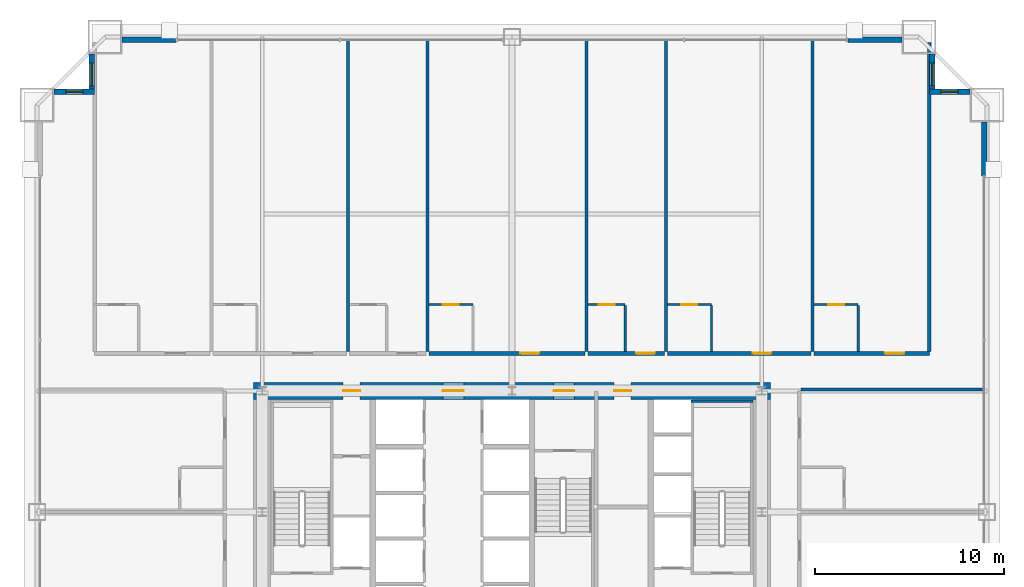
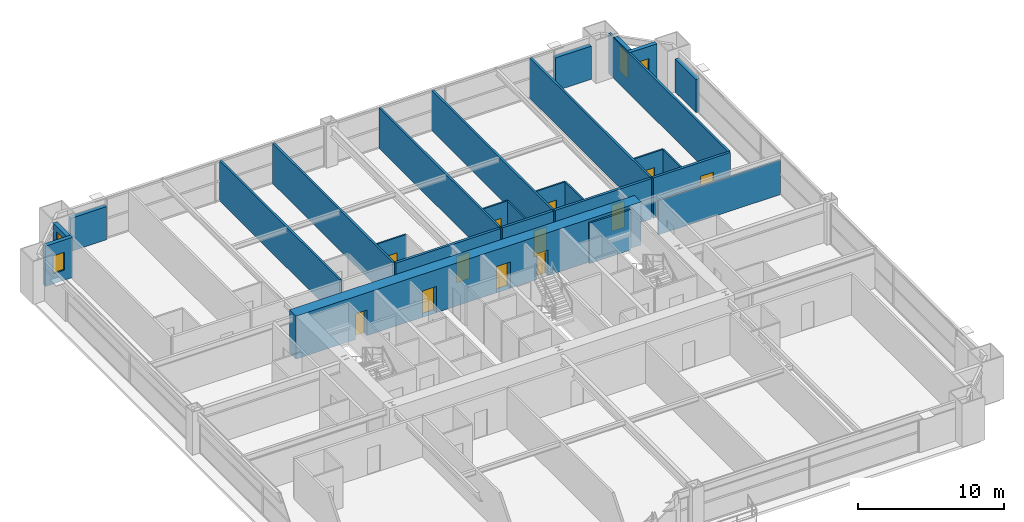
# One storey, part 43 of 45: 27 walls, 12 doors, 4 windows, 16 openings.
"""IFC4 building model written with IfcOpenShell, lengths in metres."""

from ifc_helpers import new_model, si_unit, direction, frame, frame_2d, origin, place, context, subcontext, project, spatial, rectangle, extrude, source, transform, mapped, material, layer, layer_set, type_object, element, fill, save


model = new_model("IFC4")

# Units and contexts
model_context = context("Model", 3, precision=1e-05, world=origin(), true_north=direction((0.0, 1.0)))
body_context = subcontext(model_context, "Body", "Model", "MODEL_VIEW")
ifc_project = project(units=[si_unit("LENGTHUNIT", "METRE"), si_unit("AREAUNIT", "SQUARE_METRE"), si_unit("VOLUMEUNIT", "CUBIC_METRE"), si_unit("PLANEANGLEUNIT", "RADIAN"), si_unit("MASSUNIT", "GRAM", prefix="KILO"), si_unit("THERMODYNAMICTEMPERATUREUNIT", "KELVIN"), si_unit("POWERUNIT", "WATT")], contexts=[model_context])

# Site, building, storey
site_placement = place(None, origin())
site = spatial("IfcSite", under=ifc_project, at=site_placement, CompositionType="ELEMENT")
building_placement = place(site_placement, origin())
building = spatial("IfcBuilding", under=site, at=building_placement, Name="Yuzanri Waterfront Tower", CompositionType="ELEMENT")
storey_placement = place(building_placement, frame((0.0, 0.0, 49.60009765625)))
storey = spatial("IfcBuildingStorey", under=building, at=storey_placement, Name="L12", CompositionType="ELEMENT", Elevation=49.60009765625)

# Wall, opening, door
ifc_material_1 = material(Name="Moisture-Resistant Gypsum Stud Wall", Category="gypsum")
ifc_layer_1 = layer(ifc_material_1, 0.1201171875)
ifc_layer_set_1 = layer_set([ifc_layer_1], Name="Moisture-Resistant Gypsum Stud Wall")
wall_type_1 = type_object("IfcWallType", Name="Bathroom and Kitchen Wet Partition 120", PredefinedType="PARTITIONING", material=ifc_layer_set_1)
wall_1_placement = place(storey_placement, frame((32.60498046875, 36.760009765625, 0.0), z_axis=(0.0, 0.0, 1.0), x_axis=(1.0, 0.0, 0.0)))
wall_1 = element("IfcWall", 1, at=wall_1_placement, inside=storey, type_object=wall_type_1, Name="L12 Partition UW-L12-N4-BN", PredefinedType="PARTITIONING", context=body_context, shape_type="SweptSolid", body=[
    extrude(rectangle(XDim=2.330078125, YDim=0.1201171875, at=frame_2d((1.1650390625, 0.0))), origin(), (0.0, 0.0, 1.0), 3.3798828125),
])
opening_1_placement = place(wall_1_placement, frame((0.739990234375, 0.0, 0.0)))
opening_1 = element("IfcOpeningElement", 2, at=opening_1_placement, cuts=wall_1, Name="Opening ID-0850", PredefinedType="OPENING", context=body_context, shape_type="SweptSolid", body=[
    extrude(rectangle(XDim=0.85009765625, YDim=2.10009765625, at=frame_2d((0.425048828125, 1.050048828125))), frame((0.0, 0.074951171875, 0.0), z_axis=(0.0, -1.0, 0.0), x_axis=(1.0, 0.0, 0.0)), (0.0, 0.0, 1.0), 0.14990234375),
])
ifc_material_2 = material(Name="Moisture-Resistant Lacquered Timber", Category="wood")
door_type_1 = type_object("IfcDoorType", Name="En-Suite Bathroom and Kitchen Swing Door 850x2100", OperationType="NOTDEFINED", PredefinedType="DOOR", material=ifc_material_2)
shared_shape_1 = source(origin(), body_context, "Body", "SweptSolid", [
    extrude(rectangle(XDim=0.85009765625, YDim=2.10009765625, at=frame_2d((0.425048828125, 1.050048828125))), frame((0.0, 0.02490234375, 0.0), z_axis=(0.0, -1.0, 0.0), x_axis=(1.0, 0.0, 0.0)), (0.0, 0.0, 1.0), 0.050048828125),
])
door_1_placement = place(opening_1_placement, origin())
door_1 = element("IfcDoor", 3, at=door_1_placement, inside=storey, type_object=door_type_1, Name="L12 Guest En-Suite Door", OperationType="SINGLE_SWING_RIGHT", OverallHeight=2.10009765625, OverallWidth=0.85009765625, PredefinedType="DOOR", context=body_context, shape_type="MappedRepresentation", body=[
    mapped(shared_shape_1, transform((0.0, 0.0, 0.0), scale=1.0)),
])
fill(opening_1, door_1)

wall_2_placement = place(storey_placement, frame((41.02587890625, 36.760009765625, 0.0), z_axis=(0.0, 0.0, 1.0), x_axis=(1.0, 0.0, 0.0)))
wall_2 = element("IfcWall", 4, at=wall_2_placement, inside=storey, type_object=wall_type_1, Name="L12 Partition UW-L12-N5-BN", PredefinedType="PARTITIONING", context=body_context, shape_type="SweptSolid", body=[
    extrude(rectangle(XDim=1.955078125, YDim=0.1201171875, at=frame_2d((0.9775390625, 0.0))), origin(), (0.0, 0.0, 1.0), 3.3798828125),
])
opening_2_placement = place(wall_2_placement, frame((0.552490234375, 0.0, 0.0)))
opening_2 = element("IfcOpeningElement", 5, at=opening_2_placement, cuts=wall_2, Name="Opening ID-0850", PredefinedType="OPENING", context=body_context, shape_type="SweptSolid", body=[
    extrude(rectangle(XDim=0.85009765625, YDim=2.10009765625, at=frame_2d((0.425048828125, 1.050048828125))), frame((0.0, 0.074951171875, 0.0), z_axis=(0.0, -1.0, 0.0), x_axis=(1.0, 0.0, 0.0)), (0.0, 0.0, 1.0), 0.14990234375),
])
door_2_placement = place(opening_2_placement, origin())
door_2 = element("IfcDoor", 6, at=door_2_placement, inside=storey, type_object=door_type_1, Name="L12 Guest En-Suite Door", OperationType="SINGLE_SWING_RIGHT", OverallHeight=2.10009765625, OverallWidth=0.85009765625, PredefinedType="DOOR", context=body_context, shape_type="MappedRepresentation", body=[
    mapped(shared_shape_1, transform((0.0, 0.0, 0.0), scale=1.0)),
])
fill(opening_2, door_2)

wall_3_placement = place(storey_placement, frame((45.2109375, 36.760009765625, 0.0), z_axis=(0.0, 0.0, 1.0), x_axis=(1.0, 0.0, 0.0)))
wall_3 = element("IfcWall", 7, at=wall_3_placement, inside=storey, type_object=wall_type_1, Name="L12 Partition UW-L12-N6-BN", PredefinedType="PARTITIONING", context=body_context, shape_type="SweptSolid", body=[
    extrude(rectangle(XDim=2.330078125, YDim=0.1201171875, at=frame_2d((1.1650390625, 0.0))), origin(), (0.0, 0.0, 1.0), 3.3798828125),
])
opening_3_placement = place(wall_3_placement, frame((0.739990234375, 0.0, 0.0)))
opening_3 = element("IfcOpeningElement", 8, at=opening_3_placement, cuts=wall_3, Name="Opening ID-0850", PredefinedType="OPENING", context=body_context, shape_type="SweptSolid", body=[
    extrude(rectangle(XDim=0.85009765625, YDim=2.10009765625, at=frame_2d((0.425048828125, 1.050048828125))), frame((0.0, 0.074951171875, 0.0), z_axis=(0.0, -1.0, 0.0), x_axis=(1.0, 0.0, 0.0)), (0.0, 0.0, 1.0), 0.14990234375),
])
door_3_placement = place(opening_3_placement, origin())
door_3 = element("IfcDoor", 9, at=door_3_placement, inside=storey, type_object=door_type_1, Name="L12 Guest En-Suite Door", OperationType="SINGLE_SWING_RIGHT", OverallHeight=2.10009765625, OverallWidth=0.85009765625, PredefinedType="DOOR", context=body_context, shape_type="MappedRepresentation", body=[
    mapped(shared_shape_1, transform((0.0, 0.0, 0.0), scale=1.0)),
])
fill(opening_3, door_3)

wall_4_placement = place(storey_placement, frame((52.962890625, 36.760009765625, 0.0), z_axis=(0.0, 0.0, 1.0), x_axis=(1.0, 0.0, 0.0)))
wall_4 = element("IfcWall", 10, at=wall_4_placement, inside=storey, type_object=wall_type_1, Name="L12 Partition UW-L12-N7-BN", PredefinedType="PARTITIONING", context=body_context, shape_type="SweptSolid", body=[
    extrude(rectangle(XDim=2.330078125, YDim=0.1201171875, at=frame_2d((1.1650390625, 0.0))), origin(), (0.0, 0.0, 1.0), 3.3798828125),
])
opening_4_placement = place(wall_4_placement, frame((0.739990234375, 0.0, 0.0)))
opening_4 = element("IfcOpeningElement", 11, at=opening_4_placement, cuts=wall_4, Name="Opening ID-0850", PredefinedType="OPENING", context=body_context, shape_type="SweptSolid", body=[
    extrude(rectangle(XDim=0.85009765625, YDim=2.10009765625, at=frame_2d((0.425048828125, 1.050048828125))), frame((0.0, 0.074951171875, 0.0), z_axis=(0.0, -1.0, 0.0), x_axis=(1.0, 0.0, 0.0)), (0.0, 0.0, 1.0), 0.14990234375),
])
door_4_placement = place(opening_4_placement, origin())
door_4 = element("IfcDoor", 12, at=door_4_placement, inside=storey, type_object=door_type_1, Name="L12 Guest En-Suite Door", OperationType="SINGLE_SWING_RIGHT", OverallHeight=2.10009765625, OverallWidth=0.85009765625, PredefinedType="DOOR", context=body_context, shape_type="MappedRepresentation", body=[
    mapped(shared_shape_1, transform((0.0, 0.0, 0.0), scale=1.0)),
])
fill(opening_4, door_4)

# Wall, opening, window
ifc_material_3 = material(Name="Honed Chongqing Dark Basalt Stone", Category="masonry")
ifc_layer_2 = layer(ifc_material_3, 0.300048828125)
ifc_layer_set_2 = layer_set([ifc_layer_2], Name="Honed Chongqing Dark Basalt Stone")
wall_type_2 = type_object("IfcWallType", Name="Bronze Rainscreen Insulated Spandrel Portal Wall 300", PredefinedType="SOLIDWALL", material=ifc_layer_set_2)
wall_5_placement = place(storey_placement, frame((14.949951171875, 48.0, 0.0), z_axis=(0.0, 0.0, 1.0), x_axis=(-1.0, 0.0, 0.0)))
wall_5 = element("IfcWall", 13, at=wall_5_placement, inside=storey, type_object=wall_type_2, Name="L12 Notched Corner Masonry Wall NW-X", PredefinedType="SOLIDWALL", context=body_context, shape_type="SweptSolid", body=[
    extrude(rectangle(XDim=2.14990234375, YDim=0.300048828125, at=frame_2d((1.074951171875, 0.0))), origin(), (0.0, 0.0, 1.0), 3.3798828125),
])
opening_5_placement = place(wall_5_placement, frame((0.625, 0.0, 0.85009765625)))
opening_5 = element("IfcOpeningElement", 14, at=opening_5_placement, cuts=wall_5, Name="Opening WN-05", PredefinedType="OPENING", context=body_context, shape_type="SweptSolid", body=[
    extrude(rectangle(XDim=0.89990234375, YDim=1.5, at=frame_2d((0.449951171875, 0.75))), frame((0.0, 0.1650390625, 0.0), z_axis=(0.0, -1.0, 0.0), x_axis=(1.0, 0.0, 0.0)), (0.0, 0.0, 1.0), 0.329833984375),
])
ifc_material_4 = material(Name="Double-Silver Low-E Insulated Glass", Category="glass")
window_type_1 = type_object("IfcWindowType", Name="Anodized Bronze Service and Stairwell Smoke-Vent Window 900x1500", PartitioningType="SINGLE_PANEL", PredefinedType="WINDOW", material=ifc_material_4)
shared_shape_2 = source(origin(), body_context, "Body", "SweptSolid", [
    extrude(rectangle(XDim=0.89990234375, YDim=1.5, at=frame_2d((0.449951171875, 0.75))), frame((0.0, 0.030029296875, 0.0), z_axis=(0.0, -1.0, 0.0), x_axis=(1.0, 0.0, 0.0)), (0.0, 0.0, 1.0), 0.06005859375),
])
window_1_placement = place(opening_5_placement, origin())
window_1 = element("IfcWindow", 15, at=window_1_placement, inside=storey, type_object=window_type_1, Name="L12 Notched Corner Window NW-X", OverallHeight=1.5, OverallWidth=0.89990234375, PartitioningType="SINGLE_PANEL", PredefinedType="WINDOW", context=body_context, shape_type="MappedRepresentation", body=[
    mapped(shared_shape_2, transform((0.0, 0.0, 0.0), scale=1.0)),
])
fill(opening_5, window_1)

wall_6_placement = place(storey_placement, frame((14.800048828125, 50.0, 0.0), z_axis=(0.0, 0.0, 1.0), x_axis=(0.0, -1.0, 0.0)))
wall_6 = element("IfcWall", 16, at=wall_6_placement, inside=storey, type_object=wall_type_2, Name="L12 Notched Corner Masonry Wall NW-Y", PredefinedType="SOLIDWALL", context=body_context, shape_type="SweptSolid", body=[
    extrude(rectangle(XDim=2.14990234375, YDim=0.300048828125, at=frame_2d((1.074951171875, 0.0))), origin(), (0.0, 0.0, 1.0), 3.3798828125),
])
opening_6_placement = place(wall_6_placement, frame((0.47509765625, 0.0, 0.85009765625)))
opening_6 = element("IfcOpeningElement", 17, at=opening_6_placement, cuts=wall_6, Name="Opening WN-02", PredefinedType="OPENING", context=body_context, shape_type="SweptSolid", body=[
    extrude(rectangle(XDim=1.199951171875, YDim=2.10009765625, at=frame_2d((0.60009765625, 1.050048828125))), frame((0.0, 0.1650390625, 0.0), z_axis=(0.0, -1.0, 0.0), x_axis=(1.0, 0.0, 0.0)), (0.0, 0.0, 1.0), 0.329833984375),
])
ifc_material_5 = material(Name="Double-Silver Low-E Insulated Glass", Category="glass")
window_type_2 = type_object("IfcWindowType", Name="Anodized Bronze Notched Corner Deep-Set Slot Window 1200x2100", PartitioningType="SINGLE_PANEL", PredefinedType="WINDOW", material=ifc_material_5)
shared_shape_3 = source(origin(), body_context, "Body", "SweptSolid", [
    extrude(rectangle(XDim=1.199951171875, YDim=2.10009765625, at=frame_2d((0.60009765625, 1.050048828125))), frame((0.0, 0.030029296875, 0.0), z_axis=(0.0, -1.0, 0.0), x_axis=(1.0, 0.0, 0.0)), (0.0, 0.0, 1.0), 0.06005859375),
])
window_2_placement = place(opening_6_placement, origin())
window_2 = element("IfcWindow", 18, at=window_2_placement, inside=storey, type_object=window_type_2, Name="L12 Notched Corner Window NW-Y", OverallHeight=2.10009765625, OverallWidth=1.199951171875, PartitioningType="SINGLE_PANEL", PredefinedType="WINDOW", context=body_context, shape_type="MappedRepresentation", body=[
    mapped(shared_shape_3, transform((0.0, 0.0, 0.0), scale=1.0)),
])
fill(opening_6, window_2)

wall_7_placement = place(storey_placement, frame((61.199951171875, 48.0, 0.0), z_axis=(0.0, 0.0, 1.0), x_axis=(-1.0, 0.0, 0.0)))
wall_7 = element("IfcWall", 19, at=wall_7_placement, inside=storey, type_object=wall_type_2, Name="L12 Notched Corner Masonry Wall NE-X", PredefinedType="SOLIDWALL", context=body_context, shape_type="SweptSolid", body=[
    extrude(rectangle(XDim=2.14990234375, YDim=0.300048828125, at=frame_2d((1.074951171875, 0.0))), origin(), (0.0, 0.0, 1.0), 3.3798828125),
])
opening_7_placement = place(wall_7_placement, frame((0.625, 0.0, 0.85009765625)))
opening_7 = element("IfcOpeningElement", 20, at=opening_7_placement, cuts=wall_7, Name="Opening WN-05", PredefinedType="OPENING", context=body_context, shape_type="SweptSolid", body=[
    extrude(rectangle(XDim=0.89990234375, YDim=1.5, at=frame_2d((0.449951171875, 0.75))), frame((0.0, 0.1650390625, 0.0), z_axis=(0.0, -1.0, 0.0), x_axis=(1.0, 0.0, 0.0)), (0.0, 0.0, 1.0), 0.329833984375),
])
window_3_placement = place(opening_7_placement, origin())
window_3 = element("IfcWindow", 21, at=window_3_placement, inside=storey, type_object=window_type_1, Name="L12 Notched Corner Window NE-X", OverallHeight=1.5, OverallWidth=0.89990234375, PartitioningType="SINGLE_PANEL", PredefinedType="WINDOW", context=body_context, shape_type="MappedRepresentation", body=[
    mapped(shared_shape_2, transform((0.0, 0.0, 0.0), scale=1.0)),
])
fill(opening_7, window_3)

wall_8_placement = place(storey_placement, frame((59.199951171875, 47.85009765625, 0.0), z_axis=(0.0, 0.0, 1.0), x_axis=(0.0, 1.0, 0.0)))
wall_8 = element("IfcWall", 22, at=wall_8_placement, inside=storey, type_object=wall_type_2, Name="L12 Notched Corner Masonry Wall NE-Y", PredefinedType="SOLIDWALL", context=body_context, shape_type="SweptSolid", body=[
    extrude(rectangle(XDim=2.14990234375, YDim=0.300048828125, at=frame_2d((1.074951171875, 0.0))), origin(), (0.0, 0.0, 1.0), 3.3798828125),
])
opening_8_placement = place(wall_8_placement, frame((0.47509765625, 0.0, 0.85009765625)))
opening_8 = element("IfcOpeningElement", 23, at=opening_8_placement, cuts=wall_8, Name="Opening WN-02", PredefinedType="OPENING", context=body_context, shape_type="SweptSolid", body=[
    extrude(rectangle(XDim=1.199951171875, YDim=2.10009765625, at=frame_2d((0.60009765625, 1.050048828125))), frame((0.0, 0.1650390625, 0.0), z_axis=(0.0, -1.0, 0.0), x_axis=(1.0, 0.0, 0.0)), (0.0, 0.0, 1.0), 0.329833984375),
])
window_4_placement = place(opening_8_placement, origin())
window_4 = element("IfcWindow", 24, at=window_4_placement, inside=storey, type_object=window_type_2, Name="L12 Notched Corner Window NE-Y", OverallHeight=2.10009765625, OverallWidth=1.199951171875, PartitioningType="SINGLE_PANEL", PredefinedType="WINDOW", context=body_context, shape_type="MappedRepresentation", body=[
    mapped(shared_shape_3, transform((0.0, 0.0, 0.0), scale=1.0)),
])
fill(opening_8, window_4)

# Wall, openings, doors
ifc_material_6 = material(Name="Concrete C60", Category="concrete")
ifc_layer_3 = layer(ifc_material_6, 0.89990234375)
ifc_layer_set_3 = layer_set([ifc_layer_3], Name="Concrete C60")
wall_type_3 = type_object("IfcWallType", Name="Concrete C60 Lower Zone Core Shear Wall 900", PredefinedType="SHEAR", material=ifc_layer_set_3)
wall_9_placement = place(storey_placement, frame((23.35009765625, 32.199951171875, 0.0), z_axis=(0.0, 0.0, 1.0), x_axis=(1.0, 0.0, 0.0)))
wall_9 = element("IfcWall", 25, at=wall_9_placement, inside=storey, type_object=wall_type_3, Name="L12 Core North Shear Wall", PredefinedType="SHEAR", context=body_context, shape_type="SweptSolid", body=[
    extrude(rectangle(XDim=27.2998046875, YDim=0.89990234375, at=frame_2d((13.64990234375, 0.0))), origin(), (0.0, 0.0, 1.0), 3.599853515625),
])
opening_9_placement = place(wall_9_placement, frame((4.719970703125, 0.0, 0.0)))
opening_9 = element("IfcOpeningElement", 26, at=opening_9_placement, cuts=wall_9, Name="Opening FD-0900", PredefinedType="OPENING", context=body_context, shape_type="SweptSolid", body=[
    extrude(rectangle(XDim=0.89990234375, YDim=2.14990234375, at=frame_2d((0.449951171875, 1.074951171875))), frame((0.0, 0.46484375, 0.0), z_axis=(0.0, -1.0, 0.0), x_axis=(1.0, 0.0, 0.0)), (0.0, 0.0, 1.0), 0.9296875),
])
opening_10_placement = place(wall_9_placement, frame((10.0, 0.0, 0.0)))
opening_10 = element("IfcOpeningElement", 27, at=opening_10_placement, cuts=wall_9, Name="Opening FD-1100", PredefinedType="OPENING", context=body_context, shape_type="SweptSolid", body=[
    extrude(rectangle(XDim=1.10009765625, YDim=2.199951171875, at=frame_2d((0.550048828125, 1.10009765625))), frame((0.0, 0.46484375, 0.0), z_axis=(0.0, -1.0, 0.0), x_axis=(1.0, 0.0, 0.0)), (0.0, 0.0, 1.0), 0.9296875),
])
opening_11_placement = place(wall_9_placement, frame((15.85009765625, 0.0, 0.0)))
opening_11 = element("IfcOpeningElement", 28, at=opening_11_placement, cuts=wall_9, Name="Opening FD-1100", PredefinedType="OPENING", context=body_context, shape_type="SweptSolid", body=[
    extrude(rectangle(XDim=1.10009765625, YDim=2.199951171875, at=frame_2d((0.550048828125, 1.10009765625))), frame((0.0, 0.46484375, 0.0), z_axis=(0.0, -1.0, 0.0), x_axis=(1.0, 0.0, 0.0)), (0.0, 0.0, 1.0), 0.9296875),
])
opening_12_placement = place(wall_9_placement, frame((19.050048828125, 0.0, 0.0)))
opening_12 = element("IfcOpeningElement", 29, at=opening_12_placement, cuts=wall_9, Name="Opening FD-0900", PredefinedType="OPENING", context=body_context, shape_type="SweptSolid", body=[
    extrude(rectangle(XDim=0.89990234375, YDim=2.14990234375, at=frame_2d((0.449951171875, 1.074951171875))), frame((0.0, 0.46484375, 0.0), z_axis=(0.0, -1.0, 0.0), x_axis=(1.0, 0.0, 0.0)), (0.0, 0.0, 1.0), 0.9296875),
])
ifc_material_7 = material(Name="Painted Galvanized Fire Steel", Category="steel")
door_type_2 = type_object("IfcDoorType", Name="Smoke-Proof Stair and Lobby Fire Door 1100x2200", OperationType="NOTDEFINED", PredefinedType="DOOR", material=ifc_material_7)
shared_shape_4 = source(origin(), body_context, "Body", "SweptSolid", [
    extrude(rectangle(XDim=1.10009765625, YDim=2.199951171875, at=frame_2d((0.550048828125, 1.10009765625))), frame((0.0, 0.02490234375, 0.0), z_axis=(0.0, -1.0, 0.0), x_axis=(1.0, 0.0, 0.0)), (0.0, 0.0, 1.0), 0.050048828125),
])
door_5_placement = place(opening_10_placement, origin())
door_5 = element("IfcDoor", 30, at=door_5_placement, inside=storey, type_object=door_type_2, Name="L12 Central Lift Lobby North Door", OperationType="SINGLE_SWING_LEFT", OverallHeight=2.199951171875, OverallWidth=1.10009765625, PredefinedType="DOOR", context=body_context, shape_type="MappedRepresentation", body=[
    mapped(shared_shape_4, transform((0.0, 0.0, 0.0), scale=1.0)),
])
fill(opening_10, door_5)
door_6_placement = place(opening_11_placement, origin())
door_6 = element("IfcDoor", 31, at=door_6_placement, inside=storey, type_object=door_type_2, Name="L12 North Stair Lobby Door", OperationType="SINGLE_SWING_RIGHT", OverallHeight=2.199951171875, OverallWidth=1.10009765625, PredefinedType="DOOR", context=body_context, shape_type="MappedRepresentation", body=[
    mapped(shared_shape_4, transform((0.0, 0.0, 0.0), scale=1.0)),
])
fill(opening_11, door_6)
ifc_material_8 = material(Name="Painted Galvanized Fire Steel", Category="steel")
door_type_3 = type_object("IfcDoorType", Name="Riser and Service Room Fire Door 900x2150", OperationType="NOTDEFINED", PredefinedType="DOOR", material=ifc_material_8)
shared_shape_5 = source(origin(), body_context, "Body", "SweptSolid", [
    extrude(rectangle(XDim=0.89990234375, YDim=2.14990234375, at=frame_2d((0.449951171875, 1.074951171875))), frame((0.0, 0.02490234375, 0.0), z_axis=(0.0, -1.0, 0.0), x_axis=(1.0, 0.0, 0.0)), (0.0, 0.0, 1.0), 0.050048828125),
])
door_7_placement = place(opening_9_placement, origin())
door_7 = element("IfcDoor", 32, at=door_7_placement, inside=storey, type_object=door_type_3, Name="L12 Telecom Riser Door", OperationType="SINGLE_SWING_RIGHT", OverallHeight=2.14990234375, OverallWidth=0.89990234375, PredefinedType="DOOR", context=body_context, shape_type="MappedRepresentation", body=[
    mapped(shared_shape_5, transform((0.0, 0.0, 0.0), scale=1.0)),
])
fill(opening_9, door_7)
door_8_placement = place(opening_12_placement, origin())
door_8 = element("IfcDoor", 33, at=door_8_placement, inside=storey, type_object=door_type_3, Name="L12 Housekeeping Room", OperationType="SINGLE_SWING_RIGHT", OverallHeight=2.14990234375, OverallWidth=0.89990234375, PredefinedType="DOOR", context=body_context, shape_type="MappedRepresentation", body=[
    mapped(shared_shape_5, transform((0.0, 0.0, 0.0), scale=1.0)),
])
fill(opening_12, door_8)

# Wall, opening, door
ifc_material_9 = material(Name="Autoclaved Aerated Concrete Blockwork", Category="masonry")
ifc_layer_4 = layer(ifc_material_9, 0.199951171875)
ifc_layer_set_4 = layer_set([ifc_layer_4], Name="Autoclaved Aerated Concrete Blockwork")
wall_type_4 = type_object("IfcWallType", Name="Corridor and Unit Party Fire Wall 200", PredefinedType="PARTITIONING", material=ifc_layer_set_4)
wall_10_placement = place(storey_placement, frame((32.60498046875, 34.179931640625, 0.0), z_axis=(0.0, 0.0, 1.0), x_axis=(1.0, 0.0, 0.0)))
wall_10 = element("IfcWall", 34, at=wall_10_placement, inside=storey, type_object=wall_type_4, Name="L12 Partition UW-L12-N4-CS", PredefinedType="PARTITIONING", context=body_context, shape_type="SweptSolid", body=[
    extrude(rectangle(XDim=8.260986328125, YDim=0.199951171875, at=frame_2d((4.13037109375, 0.0))), origin(), (0.0, 0.0, 1.0), 3.3798828125),
])
opening_13_placement = place(wall_10_placement, frame((4.8359375, 0.0, 0.0)))
opening_13 = element("IfcOpeningElement", 35, at=opening_13_placement, cuts=wall_10, Name="Opening FD-1000", PredefinedType="OPENING", context=body_context, shape_type="SweptSolid", body=[
    extrude(rectangle(XDim=1.0, YDim=2.199951171875, at=frame_2d((0.5, 1.10009765625))), frame((0.0, 0.11474609375, 0.0), z_axis=(0.0, -1.0, 0.0), x_axis=(1.0, 0.0, 0.0)), (0.0, 0.0, 1.0), 0.229736328125),
])
ifc_material_10 = material(Name="Engineered Oak Fire-Rated Timber", Category="wood")
door_type_4 = type_object("IfcDoorType", Name="Guestroom and Apartment Entrance Fire Door 1000x2200", OperationType="NOTDEFINED", PredefinedType="DOOR", material=ifc_material_10)
shared_shape_6 = source(origin(), body_context, "Body", "SweptSolid", [
    extrude(rectangle(XDim=1.0, YDim=2.199951171875, at=frame_2d((0.5, 1.10009765625))), frame((0.0, 0.02490234375, 0.0), z_axis=(0.0, -1.0, 0.0), x_axis=(1.0, 0.0, 0.0)), (0.0, 0.0, 1.0), 0.050048828125),
])
door_9_placement = place(opening_13_placement, origin())
door_9 = element("IfcDoor", 36, at=door_9_placement, inside=storey, type_object=door_type_4, Name="L12 Superior Twin Junior Suite Entrance Door", OperationType="SINGLE_SWING_LEFT", OverallHeight=2.199951171875, OverallWidth=1.0, PredefinedType="DOOR", context=body_context, shape_type="MappedRepresentation", body=[
    mapped(shared_shape_6, transform((0.0, 0.0, 0.0), scale=1.0)),
])
fill(opening_13, door_9)

wall_11_placement = place(storey_placement, frame((41.02587890625, 34.179931640625, 0.0), z_axis=(0.0, 0.0, 1.0), x_axis=(1.0, 0.0, 0.0)))
wall_11 = element("IfcWall", 37, at=wall_11_placement, inside=storey, type_object=wall_type_4, Name="L12 Partition UW-L12-N5-CS", PredefinedType="PARTITIONING", context=body_context, shape_type="SweptSolid", body=[
    extrude(rectangle(XDim=4.025146484375, YDim=0.199951171875, at=frame_2d((2.0126953125, 0.0))), origin(), (0.0, 0.0, 1.0), 3.3798828125),
])
opening_14_placement = place(wall_11_placement, frame((2.530029296875, 0.0, 0.0)))
opening_14 = element("IfcOpeningElement", 38, at=opening_14_placement, cuts=wall_11, Name="Opening FD-1000", PredefinedType="OPENING", context=body_context, shape_type="SweptSolid", body=[
    extrude(rectangle(XDim=1.0, YDim=2.199951171875, at=frame_2d((0.5, 1.10009765625))), frame((0.0, 0.11474609375, 0.0), z_axis=(0.0, -1.0, 0.0), x_axis=(1.0, 0.0, 0.0)), (0.0, 0.0, 1.0), 0.229736328125),
])
door_10_placement = place(opening_14_placement, origin())
door_10 = element("IfcDoor", 39, at=door_10_placement, inside=storey, type_object=door_type_4, Name="L12 Superior Twin Guest Room Entrance Door", OperationType="SINGLE_SWING_LEFT", OverallHeight=2.199951171875, OverallWidth=1.0, PredefinedType="DOOR", context=body_context, shape_type="MappedRepresentation", body=[
    mapped(shared_shape_6, transform((0.0, 0.0, 0.0), scale=1.0)),
])
fill(opening_14, door_10)

wall_12_placement = place(storey_placement, frame((45.2109375, 34.179931640625, 0.0), z_axis=(0.0, 0.0, 1.0), x_axis=(1.0, 0.0, 0.0)))
wall_12 = element("IfcWall", 40, at=wall_12_placement, inside=storey, type_object=wall_type_4, Name="L12 Partition UW-L12-N6-CS", PredefinedType="PARTITIONING", context=body_context, shape_type="SweptSolid", body=[
    extrude(rectangle(XDim=7.592041015625, YDim=0.199951171875, at=frame_2d((3.7958984375, 0.0))), origin(), (0.0, 0.0, 1.0), 3.3798828125),
])
opening_15_placement = place(wall_12_placement, frame((4.5009765625, 0.0, 0.0)))
opening_15 = element("IfcOpeningElement", 41, at=opening_15_placement, cuts=wall_12, Name="Opening FD-1000", PredefinedType="OPENING", context=body_context, shape_type="SweptSolid", body=[
    extrude(rectangle(XDim=1.0, YDim=2.199951171875, at=frame_2d((0.5, 1.10009765625))), frame((0.0, 0.11474609375, 0.0), z_axis=(0.0, -1.0, 0.0), x_axis=(1.0, 0.0, 0.0)), (0.0, 0.0, 1.0), 0.229736328125),
])
door_11_placement = place(opening_15_placement, origin())
door_11 = element("IfcDoor", 42, at=door_11_placement, inside=storey, type_object=door_type_4, Name="L12 Superior Twin Junior Suite Entrance Door", OperationType="SINGLE_SWING_LEFT", OverallHeight=2.199951171875, OverallWidth=1.0, PredefinedType="DOOR", context=body_context, shape_type="MappedRepresentation", body=[
    mapped(shared_shape_6, transform((0.0, 0.0, 0.0), scale=1.0)),
])
fill(opening_15, door_11)

wall_13_placement = place(storey_placement, frame((52.962890625, 34.179931640625, 0.0), z_axis=(0.0, 0.0, 1.0), x_axis=(1.0, 0.0, 0.0)))
wall_13 = element("IfcWall", 43, at=wall_13_placement, inside=storey, type_object=wall_type_4, Name="L12 Partition UW-L12-N7-CS", PredefinedType="PARTITIONING", context=body_context, shape_type="SweptSolid", body=[
    extrude(rectangle(XDim=6.09716796875, YDim=0.199951171875, at=frame_2d((3.048583984375, 0.0))), origin(), (0.0, 0.0, 1.0), 3.3798828125),
])
opening_16_placement = place(wall_13_placement, frame((3.7529296875, 0.0, 0.0)))
opening_16 = element("IfcOpeningElement", 44, at=opening_16_placement, cuts=wall_13, Name="Opening FD-1000", PredefinedType="OPENING", context=body_context, shape_type="SweptSolid", body=[
    extrude(rectangle(XDim=1.0, YDim=2.199951171875, at=frame_2d((0.5, 1.10009765625))), frame((0.0, 0.11474609375, 0.0), z_axis=(0.0, -1.0, 0.0), x_axis=(1.0, 0.0, 0.0)), (0.0, 0.0, 1.0), 0.229736328125),
])
door_12_placement = place(opening_16_placement, origin())
door_12 = element("IfcDoor", 45, at=door_12_placement, inside=storey, type_object=door_type_4, Name="L12 Superior Twin Junior Suite Entrance Door", OperationType="SINGLE_SWING_LEFT", OverallHeight=2.199951171875, OverallWidth=1.0, PredefinedType="DOOR", context=body_context, shape_type="MappedRepresentation", body=[
    mapped(shared_shape_6, transform((0.0, 0.0, 0.0), scale=1.0)),
])
fill(opening_16, door_12)

# Walls
shared_shape_7 = source(origin(), body_context, "Body", "SweptSolid", [
    extrude(rectangle(XDim=2.85009765625, YDim=0.300048828125, at=frame_2d((1.425048828125, 0.0))), origin(), (0.0, 0.0, 1.0), 2.77490234375),
])
for number, where, z_axis, x_axis, name in (
    (46, (16.39990234375, 50.75, 0.0), (0.0, 0.0, 1.0), (1.0, 0.0, 0.0), "L12 N Left Braced Masonry Shoulder"),
    (47, (54.75, 50.75, 0.0), (0.0, 0.0, 1.0), (1.0, 0.0, 0.0), "L12 N Right Braced Masonry Shoulder"),
):
    element("IfcWall", number, at=place(storey_placement, frame(where, z_axis=z_axis, x_axis=x_axis)), inside=storey, type_object=wall_type_2, Name=name, PredefinedType="SOLIDWALL", context=body_context, shape_type="MappedRepresentation", body=[
        mapped(shared_shape_7, transform((0.0, 0.0, 0.0), scale=1.0)),
    ])
shared_shape_8 = source(origin(), body_context, "Body", "SweptSolid", [
    extrude(rectangle(XDim=2.849853515625, YDim=0.300048828125, at=frame_2d((1.4248046875, 0.0))), origin(), (0.0, 0.0, 1.0), 2.77490234375),
])
wall_14_placement = place(storey_placement, frame((61.949951171875, 43.550048828125, 0.0), z_axis=(0.0, 0.0, 1.0), x_axis=(0.0, 1.0, 0.0)))
element("IfcWall", 48, at=wall_14_placement, inside=storey, type_object=wall_type_2, Name="L12 E Right Braced Masonry Shoulder", PredefinedType="SOLIDWALL", context=body_context, shape_type="MappedRepresentation", body=[
    mapped(shared_shape_8, transform((0.0, 0.0, 0.0), scale=1.0)),
])
ifc_material_11 = material(Name="Concrete C40", Category="concrete")
ifc_layer_5 = layer(ifc_material_11, 0.139892578125)
ifc_layer_set_5 = layer_set([ifc_layer_5], Name="Concrete C40")
wall_type_5 = type_object("IfcWallType", Name="Core Stair Liner and Hoistway Shaft Wall 140", PredefinedType="SOLIDWALL", material=ifc_layer_set_5)
shared_shape_9 = source(origin(), body_context, "Body", "SweptSolid", [
    extrude(rectangle(XDim=3.280029296875, YDim=0.139892578125, at=frame_2d((1.64013671875, 0.0))), origin(), (0.0, 0.0, 1.0), 3.3798828125),
])
wall_15_placement = place(storey_placement, frame((46.4599609375, 31.64990234375, 0.0), z_axis=(0.0, 0.0, 1.0), x_axis=(1.0, 0.0, 0.0)))
element("IfcWall", 49, at=wall_15_placement, inside=storey, type_object=wall_type_5, Name="L12 Stair ST-02 North Shaft Wall", PredefinedType="SOLIDWALL", context=body_context, shape_type="MappedRepresentation", body=[
    mapped(shared_shape_9, transform((0.0, 0.0, 0.0), scale=1.0)),
])
ifc_material_12 = material(Name="Gypsum Fireboard Acoustic Stud Wall", Category="gypsum")
ifc_layer_6 = layer(ifc_material_12, 0.159912109375)
ifc_layer_set_6 = layer_set([ifc_layer_6], Name="Gypsum Fireboard Acoustic Stud Wall")
wall_type_6 = type_object("IfcWallType", Name="Acoustic Suite Demising Partition 160", PredefinedType="PARTITIONING", material=ifc_layer_set_6)
shared_shape_10 = source(origin(), body_context, "Body", "SweptSolid", [
    extrude(rectangle(XDim=16.469970703125, YDim=0.159912109375, at=frame_2d((8.23486328125, 0.0))), origin(), (0.0, 0.0, 1.0), 3.3798828125),
])
for number, where, z_axis, x_axis, name in (
    (50, (28.340087890625, 34.280029296875, 0.0), (0.0, 0.0, 1.0), (0.0, 1.0, 0.0), "L12-N2 Party Wall"),
    (51, (32.52490234375, 34.280029296875, 0.0), (0.0, 0.0, 1.0), (0.0, 1.0, 0.0), "L12-N3 Party Wall"),
    (52, (40.946044921875, 34.280029296875, 0.0), (0.0, 0.0, 1.0), (0.0, 1.0, 0.0), "L12-N4 Party Wall"),
    (53, (45.131103515625, 34.280029296875, 0.0), (0.0, 0.0, 1.0), (0.0, 1.0, 0.0), "L12-N5 Party Wall"),
    (54, (52.883056640625, 34.280029296875, 0.0), (0.0, 0.0, 1.0), (0.0, 1.0, 0.0), "L12-N6 Party Wall"),
):
    element("IfcWall", number, at=place(storey_placement, frame(where, z_axis=z_axis, x_axis=x_axis)), inside=storey, type_object=wall_type_6, Name=name, PredefinedType="PARTITIONING", context=body_context, shape_type="MappedRepresentation", body=[
        mapped(shared_shape_10, transform((0.0, 0.0, 0.0), scale=1.0)),
    ])
shared_shape_11 = source(origin(), body_context, "Body", "SweptSolid", [
    extrude(rectangle(XDim=16.320068359375, YDim=0.159912109375, at=frame_2d((8.16015625, 0.0))), origin(), (0.0, 0.0, 1.0), 3.3798828125),
])
wall_16_placement = place(storey_placement, frame((59.050048828125, 34.280029296875, 0.0), z_axis=(0.0, 0.0, 1.0), x_axis=(0.0, 1.0, 0.0)))
element("IfcWall", 55, at=wall_16_placement, inside=storey, type_object=wall_type_6, Name="L12 North Band East End Wall", PredefinedType="PARTITIONING", context=body_context, shape_type="MappedRepresentation", body=[
    mapped(shared_shape_11, transform((0.0, 0.0, 0.0), scale=1.0)),
])
shared_shape_12 = source(origin(), body_context, "Body", "SweptSolid", [
    extrude(rectangle(XDim=2.419921875, YDim=0.1201171875, at=frame_2d((1.2099609375, 0.0))), origin(), (0.0, 0.0, 1.0), 3.3798828125),
])
for number, where, z_axis, x_axis, name in (
    (56, (42.98095703125, 34.280029296875, 0.0), (0.0, 0.0, 1.0), (0.0, 1.0, 0.0), "L12-N5 En-Suite Side Wall"),
    (57, (47.541015625, 34.280029296875, 0.0), (0.0, 0.0, 1.0), (0.0, 1.0, 0.0), "L12-N6 En-Suite Side Wall"),
    (58, (55.29296875, 34.280029296875, 0.0), (0.0, 0.0, 1.0), (0.0, 1.0, 0.0), "L12-N7 En-Suite Side Wall"),
):
    element("IfcWall", number, at=place(storey_placement, frame(where, z_axis=z_axis, x_axis=x_axis)), inside=storey, type_object=wall_type_1, Name=name, PredefinedType="PARTITIONING", context=body_context, shape_type="MappedRepresentation", body=[
        mapped(shared_shape_12, transform((0.0, 0.0, 0.0), scale=1.0)),
    ])
shared_shape_13 = source(origin(), body_context, "Body", "SweptSolid", [
    extrude(rectangle(XDim=9.669921875, YDim=0.159912109375, at=frame_2d((4.8349609375, 0.0))), origin(), (0.0, 0.0, 1.0), 2.875),
])
wall_17_placement = place(storey_placement, frame((52.280029296875, 32.27001953125, 0.0), z_axis=(0.0, 0.0, 1.0), x_axis=(1.0, 0.0, 0.0)))
element("IfcWall", 59, at=wall_17_placement, inside=storey, type_object=wall_type_6, Name="L12-E2 Wing North End Wall", PredefinedType="PARTITIONING", context=body_context, shape_type="MappedRepresentation", body=[
    mapped(shared_shape_13, transform((0.0, 0.0, 0.0), scale=1.0)),
])

save(model, "model.ifc")
